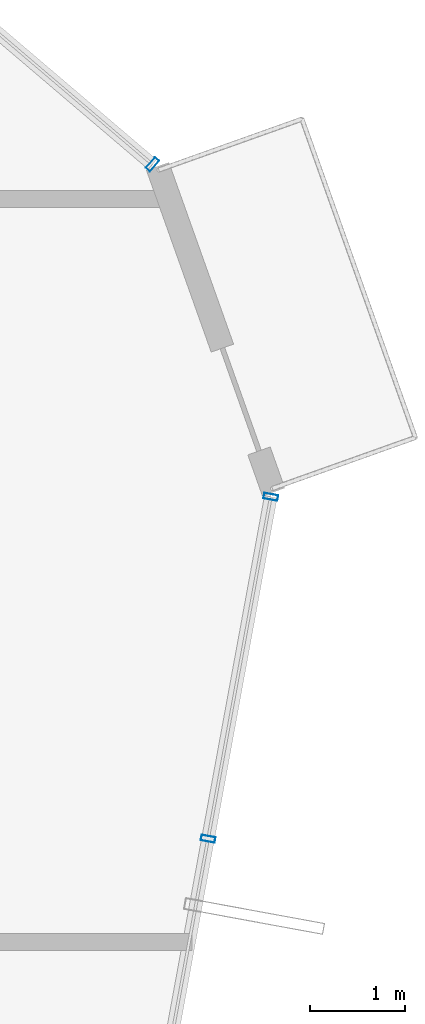
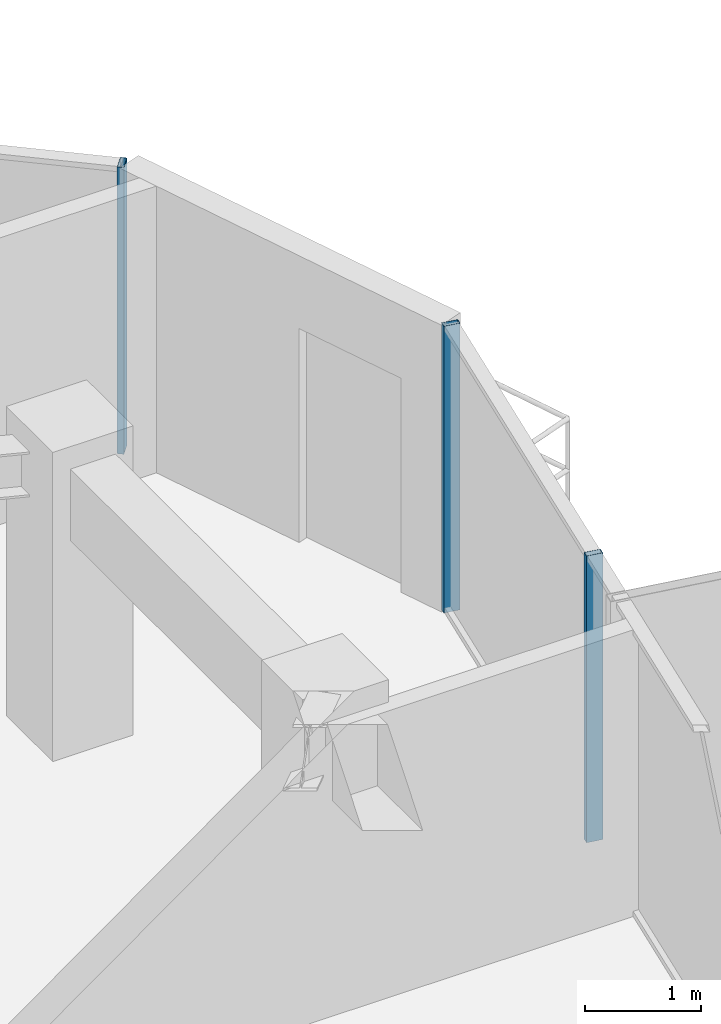
# One storey, part 20 of 29: 3 members, 2 elements without a shape of their own.
"""IFC4 building model written with IfcOpenShell, lengths in metres."""

from ifc_helpers import new_model, si_unit, direction, frame, origin, origin_2d, place, context, subcontext, project, spatial, hollow_rectangle, extrude, source, transform, mapped, material, layer, layer_set, material_profile, profile_set, type_object, element, aggregate, save


model = new_model("IFC4")

# Units and contexts
model_context = context("Model", 3, precision=1e-05, world=origin(), true_north=direction((0.0, 1.0)))
body_context = subcontext(model_context, "Body", "Model", "MODEL_VIEW")
ifc_project = project(units=[si_unit("LENGTHUNIT", "METRE"), si_unit("AREAUNIT", "SQUARE_METRE"), si_unit("VOLUMEUNIT", "CUBIC_METRE"), si_unit("PLANEANGLEUNIT", "RADIAN"), si_unit("MASSUNIT", "GRAM", prefix="KILO")], contexts=[model_context])

# Site, building, storey
site_placement = place(None, origin())
site = spatial("IfcSite", under=ifc_project, at=site_placement, CompositionType="ELEMENT")
building_placement = place(site_placement, origin())
building = spatial("IfcBuilding", under=site, at=building_placement, Name="Veraguas Prism Commons", CompositionType="ELEMENT")
storey_placement = place(building_placement, frame((0.0, 0.0, 244.75)))
storey = spatial("IfcBuildingStorey", under=building, at=storey_placement, Name="L69", CompositionType="ELEMENT", Elevation=244.75)

# Curtain wall, member
ifc_material = material(Name="Anodised aluminium EN AW-6063 T6", Category="aluminium")
ifc_layer = layer(ifc_material, 0.14990234375, Name="Unitised Flush Curtain Wall Zone 4", Category="aluminium")
ifc_layer_set = layer_set([ifc_layer], Name="Anodised aluminium EN AW-6063 T6")
curtain_wall_type = type_object("IfcCurtainWallType", Name="Unitised Flush Curtain Wall Zone 4", PredefinedType="NOTDEFINED", material=ifc_layer_set)
curtain_wall_1_placement = place(storey_placement, origin())
curtain_wall_1 = element("IfcCurtainWall", 1, at=curtain_wall_1_placement, inside=storey, type_object=curtain_wall_type, Name="Tower Facade Curtain Wall L69-F1", PredefinedType="NOTDEFINED")
ifc_material_profile = material_profile(ifc_material, hollow_rectangle(XDim=0.06005859375, YDim=0.14990234375, WallThickness=0.0029296875, at=origin_2d()), Name="AL60X150X3")
ifc_profile_set = profile_set([ifc_material_profile], Name="Anodised aluminium EN AW-6063 T6")
member_type = type_object("IfcMemberType", Name="Curtain Wall Mullion Upper AL 60x150x3", PredefinedType="MULLION", material=ifc_profile_set)
shared_shape = source(origin(), body_context, "Body", "SweptSolid", [
    extrude(hollow_rectangle(XDim=0.06005859375, YDim=0.14990234375, WallThickness=0.0029296875, at=origin_2d()), origin(), (0.0, 0.0, 1.0), 3.014892578125),
])
member_1_placement = place(storey_placement, frame((40.26416015625, 31.764892578125, 0.0), z_axis=(0.0, 0.0, 1.0), x_axis=(-0.761538307537, 0.648119901063, 0.0)))
member_1 = element("IfcMember", 2, at=member_1_placement, type_object=member_type, Name="CW-Z4 Mullion 1", PredefinedType="MULLION", context=body_context, shape_type="MappedRepresentation", body=[
    mapped(shared_shape, transform((0.0, 0.0, 0.0), scale=1.0)),
])
aggregate(curtain_wall_1, [member_1])

# Curtain wall, members
curtain_wall_2_placement = place(storey_placement, origin())
curtain_wall_2 = element("IfcCurtainWall", 3, at=curtain_wall_2_placement, inside=storey, type_object=curtain_wall_type, Name="Tower Facade Curtain Wall L69-F6", PredefinedType="NOTDEFINED")
member_2_placement = place(storey_placement, frame((40.8505859375, 24.66064453125, 0.0), z_axis=(0.0, 0.0, 1.0), x_axis=(0.180524295216, 0.983570525604, 0.0)))
member_2 = element("IfcMember", 4, at=member_2_placement, type_object=member_type, Name="CW-Z4 Mullion 4", PredefinedType="MULLION", context=body_context, shape_type="MappedRepresentation", body=[
    mapped(shared_shape, transform((0.0, 0.0, 0.0), scale=1.0)),
])
member_3_placement = place(storey_placement, frame((41.511474609375, 28.26220703125, 0.0), z_axis=(0.0, 0.0, 1.0), x_axis=(0.180524295216, 0.983570525604, 0.0)))
member_3 = element("IfcMember", 5, at=member_3_placement, type_object=member_type, Name="CW-Z4 Mullion 5", PredefinedType="MULLION", context=body_context, shape_type="MappedRepresentation", body=[
    mapped(shared_shape, transform((0.0, 0.0, 0.0), scale=1.0)),
])
aggregate(curtain_wall_2, [member_2, member_3])

save(model, "model.ifc")
